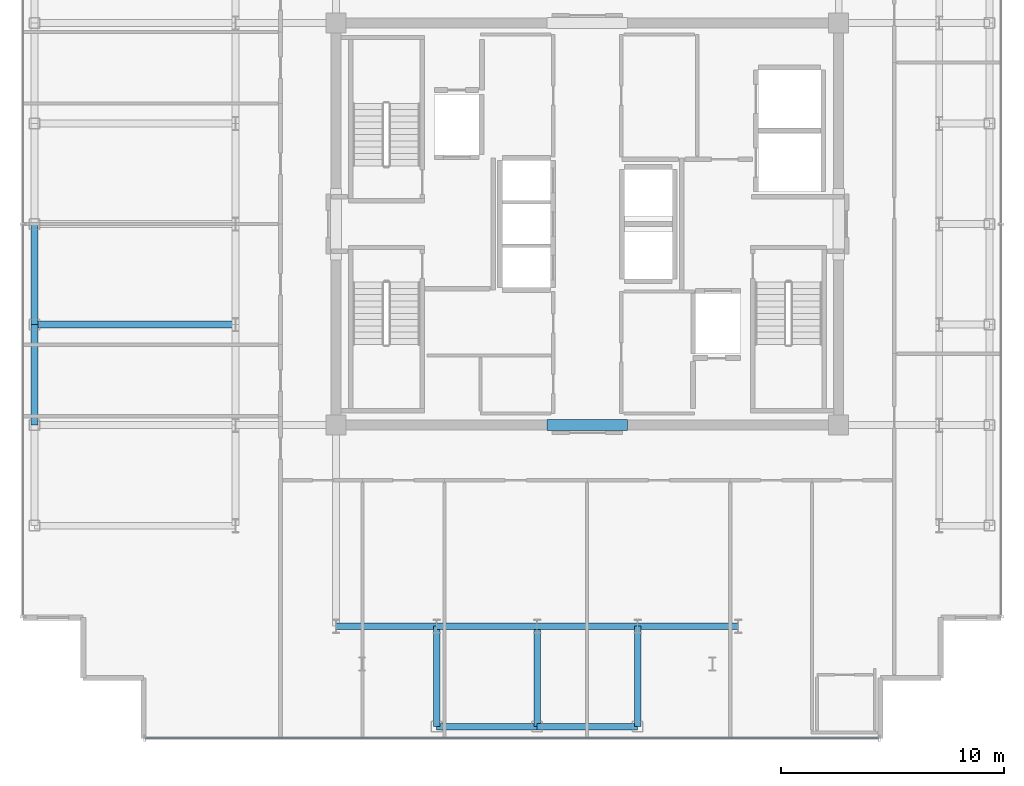
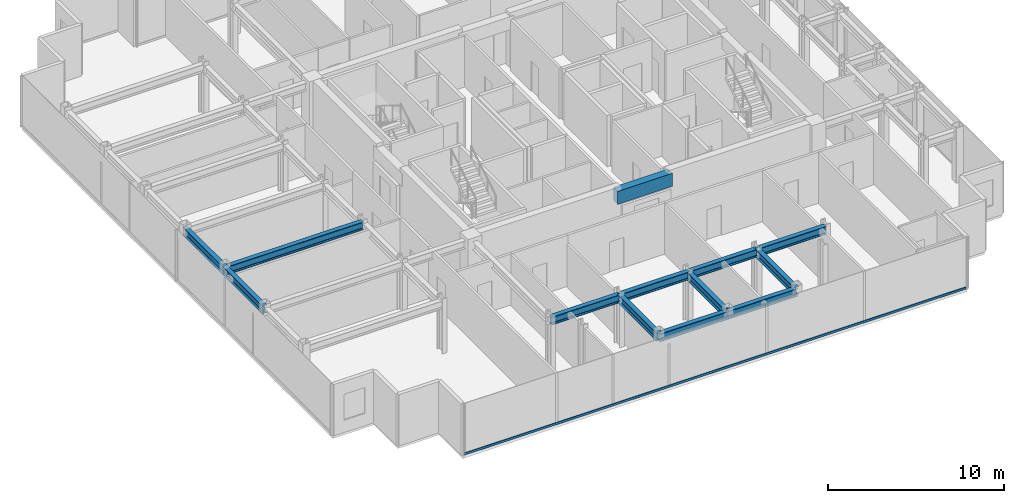
# One storey, part 3 of 18: 13 beams, 1 member, 1 element without a shape of its own.
"""IFC4 building model written with IfcOpenShell, lengths in metres."""

from ifc_helpers import new_model, si_unit, direction, frame, origin, origin_2d, place, context, subcontext, project, spatial, rectangle, hollow_rectangle, i_section, extrude, source, transform, mapped, material, layer, layer_set, material_profile, profile_set, type_object, element, aggregate, save


model = new_model("IFC4")

# Units and contexts
model_context = context("Model", 3, precision=1e-05, world=origin(), true_north=direction((0.0, 1.0)))
body_context = subcontext(model_context, "Body", "Model", "MODEL_VIEW")
ifc_project = project(units=[si_unit("LENGTHUNIT", "METRE"), si_unit("AREAUNIT", "SQUARE_METRE"), si_unit("VOLUMEUNIT", "CUBIC_METRE"), si_unit("PLANEANGLEUNIT", "RADIAN"), si_unit("MASSUNIT", "GRAM", prefix="KILO")], contexts=[model_context])

# Site, building, storey
site_placement = place(None, origin())
site = spatial("IfcSite", under=ifc_project, at=site_placement, CompositionType="ELEMENT")
building_placement = place(site_placement, origin())
building = spatial("IfcBuilding", under=site, at=building_placement, Name="Nefas-Gora Pilgrimage Tower", CompositionType="ELEMENT")
storey_placement = place(building_placement, frame((0.0, 0.0, 302.60009765625)))
storey = spatial("IfcBuildingStorey", under=building, at=storey_placement, Name="L76", CompositionType="ELEMENT", Elevation=302.60009765625)

# Beams
ifc_material_1 = material(Name="Concrete C50/60", Category="concrete")
ifc_material_profile_1 = material_profile(ifc_material_1, rectangle(XDim=0.5, YDim=0.89990234375, at=origin_2d()), Name="RC 500x900")
ifc_profile_set_1 = profile_set([ifc_material_profile_1], Name="Concrete C50/60")
beam_type_1 = type_object("IfcBeamType", Name="BM-LIN-RC900", PredefinedType="LINTEL", material=ifc_profile_set_1)
shared_shape_1 = source(origin(), body_context, "Body", "SweptSolid", [
    extrude(rectangle(XDim=0.5, YDim=0.89990234375, at=origin_2d()), origin(), (0.0, 0.0, 1.0), 3.60009765625),
])
beam_1_placement = place(storey_placement, frame((-1.800048828125, -9.0, 3.099853515625), z_axis=(1.0, 0.0, 0.0), x_axis=(0.0, 1.0, 0.0)))
element("IfcBeam", 1, at=beam_1_placement, inside=storey, type_object=beam_type_1, Name="L76 Core Coupling Lintel Beam S", PredefinedType="LINTEL", context=body_context, shape_type="MappedRepresentation", body=[
    mapped(shared_shape_1, transform((0.0, 0.0, 0.0), x_axis=(1.0, 0.0, 0.0), y_axis=(0.0, 1.0, 0.0), z_axis=(0.0, 0.0, 1.0), scale=1.0)),
])
ifc_material_2 = material(Name="Steel S355", Category="steel")
ifc_material_profile_2 = material_profile(ifc_material_2, i_section(OverallWidth=0.300048828125, OverallDepth=0.550048828125, WebThickness=0.014892578125, FlangeThickness=0.029052734375, FilletRadius=0.027099609375, at=origin_2d()), Name="HEB 550")
ifc_profile_set_2 = profile_set([ifc_material_profile_2], Name="Steel S355")
beam_type_2 = type_object("IfcBeamType", Name="BM-SPN-HEB400", PredefinedType="SPANDREL", material=ifc_profile_set_2)
shared_shape_2 = source(origin(), body_context, "Body", "SweptSolid", [
    extrude(i_section(OverallWidth=0.300048828125, OverallDepth=0.550048828125, WebThickness=0.014892578125, FlangeThickness=0.029052734375, FilletRadius=0.027099609375, at=origin_2d()), origin(), (0.0, 0.0, 1.0), 4.5),
])
for number, where, z_axis, x_axis, name in (
    (2, (-24.75, -9.0, 3.27490234375), (0.0, 1.0, 0.0), (-1.0, 0.0, 0.0), "L76 SP-04 beam"),
    (3, (-24.75, -4.5, 3.27490234375), (0.0, 1.0, 0.0), (-1.0, 0.0, 0.0), "L76 SP-04 beam"),
    (4, (-6.75, -22.5, 3.27490234375), (1.0, 0.0, 0.0), (0.0, 1.0, 0.0), "L76 SP-04 beam"),
    (5, (-2.25, -22.5, 3.27490234375), (1.0, 0.0, 0.0), (0.0, 1.0, 0.0), "L76 SP-04 beam"),
):
    element("IfcBeam", number, at=place(storey_placement, frame(where, z_axis=z_axis, x_axis=x_axis)), inside=storey, type_object=beam_type_2, Name=name, PredefinedType="SPANDREL", context=body_context, shape_type="MappedRepresentation", body=[
        mapped(shared_shape_2, transform((0.0, 0.0, 0.0), x_axis=(1.0, 0.0, 0.0), y_axis=(0.0, 1.0, 0.0), z_axis=(0.0, 0.0, 1.0), scale=1.0)),
    ])
ifc_material_profile_3 = material_profile(ifc_material_2, i_section(OverallWidth=0.300048828125, OverallDepth=0.550048828125, WebThickness=0.014892578125, FlangeThickness=0.029052734375, FilletRadius=0.027099609375, at=origin_2d()), Name="HEB 550")
ifc_profile_set_3 = profile_set([ifc_material_profile_3], Name="Steel S355")
beam_type_3 = type_object("IfcBeamType", Name="BM-GIR-HEB550", PredefinedType="BEAM", material=ifc_profile_set_3)
shared_shape_3 = source(origin(), body_context, "Body", "SweptSolid", [
    extrude(i_section(OverallWidth=0.300048828125, OverallDepth=0.550048828125, WebThickness=0.014892578125, FlangeThickness=0.029052734375, FilletRadius=0.027099609375, at=origin_2d()), origin(), (0.0, 0.0, 1.0), 9.0),
])
beam_2_placement = place(storey_placement, frame((-24.75, -4.5, 3.27490234375), z_axis=(1.0, 0.0, 0.0), x_axis=(0.0, 1.0, 0.0)))
element("IfcBeam", 6, at=beam_2_placement, inside=storey, type_object=beam_type_3, Name="L76 G-05 beam", PredefinedType="BEAM", context=body_context, shape_type="MappedRepresentation", body=[
    mapped(shared_shape_3, transform((0.0, 0.0, 0.0), x_axis=(1.0, 0.0, 0.0), y_axis=(0.0, 1.0, 0.0), z_axis=(0.0, 0.0, 1.0), scale=1.0)),
])
shared_shape_4 = source(origin(), body_context, "Body", "SweptSolid", [
    extrude(i_section(OverallWidth=0.300048828125, OverallDepth=0.550048828125, WebThickness=0.014892578125, FlangeThickness=0.029052734375, FilletRadius=0.027099609375, at=origin_2d()), origin(), (0.0, 0.0, 1.0), 4.5),
])
for number, where, z_axis, x_axis, name in (
    (7, (-11.25, -18.0, 3.27490234375), (1.0, 0.0, 0.0), (0.0, 1.0, 0.0), "L76 G-05 beam"),
    (8, (-6.75, -22.5, 3.27490234375), (0.0, 1.0, 0.0), (-1.0, 0.0, 0.0), "L76 G-05 beam"),
    (9, (-6.75, -18.0, 3.27490234375), (1.0, 0.0, 0.0), (0.0, 1.0, 0.0), "L76 G-05 beam"),
    (10, (-2.25, -22.5, 3.27490234375), (0.0, 1.0, 0.0), (-1.0, 0.0, 0.0), "L76 G-05 beam"),
    (11, (-2.25, -18.0, 3.27490234375), (1.0, 0.0, 0.0), (0.0, 1.0, 0.0), "L76 G-05 beam"),
    (12, (2.25, -22.5, 3.27490234375), (0.0, 1.0, 0.0), (-1.0, 0.0, 0.0), "L76 G-05 beam"),
    (13, (2.25, -18.0, 3.27490234375), (1.0, 0.0, 0.0), (0.0, 1.0, 0.0), "L76 G-05 beam"),
):
    element("IfcBeam", number, at=place(storey_placement, frame(where, z_axis=z_axis, x_axis=x_axis)), inside=storey, type_object=beam_type_3, Name=name, PredefinedType="BEAM", context=body_context, shape_type="MappedRepresentation", body=[
        mapped(shared_shape_4, transform((0.0, 0.0, 0.0), x_axis=(1.0, 0.0, 0.0), y_axis=(0.0, 1.0, 0.0), z_axis=(0.0, 0.0, 1.0), scale=1.0)),
    ])

# Curtain wall, member
ifc_material_3 = material(Name="Dark ceramic-fritted solar-control aluminium-glass curtain wall", Category="aluminium")
ifc_layer = layer(ifc_material_3, 0.219970703125)
ifc_layer_set = layer_set([ifc_layer], Name="Dark ceramic-fritted solar-control aluminium-glass curtain wall")
curtain_wall_type = type_object("IfcCurtainWallType", Name="CW-SYS-4", PredefinedType="NOTDEFINED", material=ifc_layer_set)
curtain_wall_placement = place(storey_placement, origin())
curtain_wall = element("IfcCurtainWall", 14, at=curtain_wall_placement, inside=storey, type_object=curtain_wall_type, Name="L76 Unitised Curtain Wall CW4", PredefinedType="NOTDEFINED")
ifc_material_4 = material(Name="Anodised architectural aluminium", Category="aluminium")
ifc_material_profile_4 = material_profile(ifc_material_4, hollow_rectangle(XDim=0.080078125, YDim=0.159912109375, WallThickness=0.00439453125, InnerFilletRadius=0.00439453125, OuterFilletRadius=0.009033203125, at=origin_2d()), Name="ALU TRANSOM 80x160")
ifc_profile_set_4 = profile_set([ifc_material_profile_4], Name="Anodised architectural aluminium")
member_type = type_object("IfcMemberType", Name="CWM-TRN-4", PredefinedType="USERDEFINED", material=ifc_profile_set_4)
shared_shape_5 = source(origin(), body_context, "Body", "SweptSolid", [
    extrude(hollow_rectangle(XDim=0.080078125, YDim=0.159912109375, WallThickness=0.00439453125, InnerFilletRadius=0.00439453125, OuterFilletRadius=0.009033203125, at=origin_2d()), origin(), (0.0, 0.0, 1.0), 32.81005859375),
])
member_placement = place(storey_placement, frame((-19.780029296875, -23.02001953125, 0.0498046875), z_axis=(1.0, 0.0, 0.0), x_axis=(0.0, 1.0, 0.0)))
member = element("IfcMember", 15, at=member_placement, type_object=member_type, Name="CW4 Spandrel Transom", ObjectType="TRANSOM", PredefinedType="USERDEFINED", context=body_context, shape_type="MappedRepresentation", body=[
    mapped(shared_shape_5, transform((0.0, 0.0, 0.0), x_axis=(1.0, 0.0, 0.0), y_axis=(0.0, 1.0, 0.0), z_axis=(0.0, 0.0, 1.0), scale=1.0)),
])
aggregate(curtain_wall, [member])

save(model, "model.ifc")
